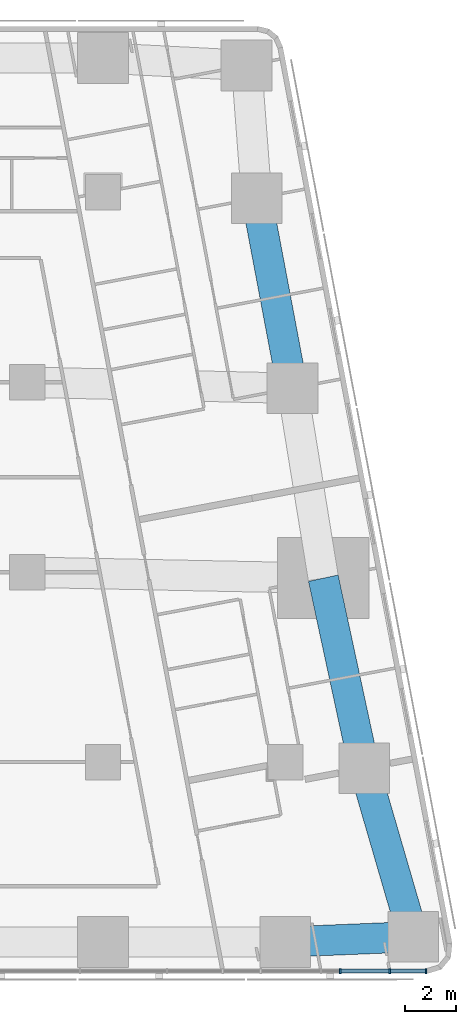
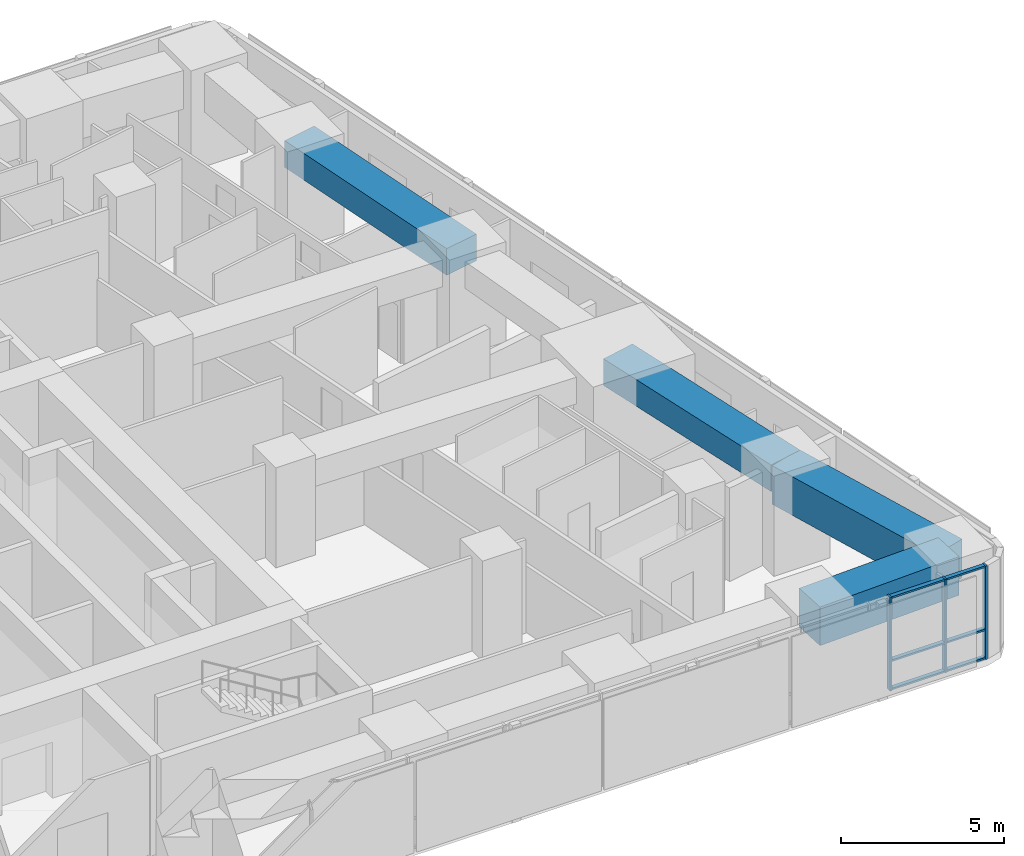
# One storey, part 3 of 11: 9 members, 4 beams, 1 element without a shape of its own.
"""IFC4 building model written with IfcOpenShell, lengths in metres."""

import ifcopenshell
import ifcopenshell.guid

model = None  # the IFC model being written
_history = None  # IfcOwnerHistory: only IFC2X3 demands one
_inside = {}  # id of a spatial element -> (the spatial element, [elements in it])
_under = {}  # id of a project, library or spatial element -> (it, [spatial elements below it])
_declared = {}  # id of a project -> (the project, [libraries it declares])
_typed = {}  # id of a type object -> (the type object, [elements of that type])
_made_of = {}  # id of a material, layer set ... -> (it, [elements and type objects made of it])


def new_model(schema):
    """Start an empty IFC model of exactly this schema.

    Asked for "IFC4X3", IfcOpenShell would pick the latest addendum, in which some entities
    have other attributes; the version numbers below select the first issue.
    IFC2X3 requires an IfcOwnerHistory on every rooted entity: one is made here for all.
    """
    global model, _history
    if schema == "IFC4X3":
        model = ifcopenshell.file(schema_version=(4, 3, 0, 0))
    else:
        model = ifcopenshell.file(schema=schema)
    _inside.clear()
    _under.clear()
    _declared.clear()
    _typed.clear()
    _made_of.clear()
    _history = None
    if model.schema == "IFC2X3":
        org = make("IfcOrganization", Name="unknown")
        user = make(
            "IfcPersonAndOrganization",
            ThePerson=make("IfcPerson", FamilyName="unknown"),
            TheOrganization=org,
        )
        app = make(
            "IfcApplication",
            ApplicationDeveloper=org,
            Version="unknown",
            ApplicationFullName="unknown",
            ApplicationIdentifier="unknown",
        )
        _history = make(
            "IfcOwnerHistory",
            OwningUser=user,
            OwningApplication=app,
            ChangeAction="ADDED",
            CreationDate=0,
        )
    return model


def make(cls, **values):
    """One entity of the class cls with the attributes given. An attribute that is None is left unset."""
    return model.create_entity(
        cls, **{name: value for name, value in values.items() if value is not None}
    )


def rooted(cls, **values):
    """An entity with a GlobalId (a new one), such as an element, a storey or a relation."""
    return make(cls, GlobalId=ifcopenshell.guid.new(), OwnerHistory=_history, **values)


def si_unit(unit_type, name, prefix=None):
    """IfcSIUnit, for example si_unit("LENGTHUNIT", "METRE", prefix="MILLI")."""
    return make("IfcSIUnit", UnitType=unit_type, Prefix=prefix, Name=name)


def assignment(units):
    """IfcUnitAssignment: the units of a project."""
    return None if units is None else make("IfcUnitAssignment", Units=units)


def point(xyz):
    """IfcCartesianPoint."""
    return None if xyz is None else make("IfcCartesianPoint", Coordinates=xyz)


def direction(xyz):
    """IfcDirection."""
    return None if xyz is None else make("IfcDirection", DirectionRatios=xyz)


def frame(location, z_axis=None, x_axis=None):
    """IfcAxis2Placement3D, a coordinate frame: its origin and axes. An axis left out is left unset."""
    return make(
        "IfcAxis2Placement3D",
        Location=point(location),
        Axis=direction(z_axis),
        RefDirection=direction(x_axis),
    )


def frame_2d(location, x_axis=None):
    """IfcAxis2Placement2D, a coordinate frame in the plane: its origin and x axis."""
    return make(
        "IfcAxis2Placement2D", Location=point(location), RefDirection=direction(x_axis)
    )


def origin():
    """The frame at (0, 0, 0) with its axes left unset."""
    return frame((0.0, 0.0, 0.0))


def origin_2d():
    """The frame at (0, 0) in the plane with its x axis left unset."""
    return frame_2d((0.0, 0.0))


def place(relative_to, where):
    """IfcLocalPlacement: puts the frame where relative to a parent placement (None: the world)."""
    return make(
        "IfcLocalPlacement", PlacementRelTo=relative_to, RelativePlacement=where
    )


def context(
    kind, dimensions, precision=None, world=None, true_north=None, identifier=None
):
    """IfcGeometricRepresentationContext, for example the 3D "Model" context."""
    return make(
        "IfcGeometricRepresentationContext",
        ContextIdentifier=identifier,
        ContextType=kind,
        CoordinateSpaceDimension=dimensions,
        Precision=precision,
        WorldCoordinateSystem=world,
        TrueNorth=true_north,
    )


def subcontext(parent, identifier, kind, view, scale=None):
    """IfcGeometricRepresentationSubContext, for example "Body" below "Model"."""
    return make(
        "IfcGeometricRepresentationSubContext",
        ContextIdentifier=identifier,
        ContextType=kind,
        ParentContext=parent,
        TargetScale=scale,
        TargetView=view,
    )


def project(units=None, contexts=None):
    """IfcProject with its units and contexts."""
    return rooted(
        "IfcProject",
        Name="project",
        RepresentationContexts=contexts,
        UnitsInContext=assignment(units),
    )


def spatial(cls, under=None, at=None, **own):
    """A site, building, storey or space (cls), placed at a placement, below another one or the project."""
    s = rooted(cls, ObjectPlacement=at, **own)
    if under is not None:
        _under.setdefault(under.id(), (under, []))[1].append(s)
    return s


def profile(cls, at=None, kind="AREA", **sizes):
    """A parametric profile (cls). Its sizes go by their IFC names, for example OverallWidth=200.0."""
    return make(cls, ProfileType=kind, Position=at, **sizes)


def rectangle(**sizes):
    """IfcRectangleProfileDef."""
    return profile("IfcRectangleProfileDef", **sizes)


def extrude(swept, where, along, depth):
    """IfcExtrudedAreaSolid: the profile swept, set in the frame where, extruded along a direction by depth."""
    return make(
        "IfcExtrudedAreaSolid",
        SweptArea=swept,
        Position=where,
        ExtrudedDirection=direction(along),
        Depth=depth,
    )


def shape(context_of_items, identifier, shape_type, items):
    """IfcShapeRepresentation: the items that make up one representation, for example the "Body"."""
    return make(
        "IfcShapeRepresentation",
        ContextOfItems=context_of_items,
        RepresentationIdentifier=identifier,
        RepresentationType=shape_type,
        Items=items,
    )


def material(Name=None, Category=None):
    """IfcMaterial."""
    return make("IfcMaterial", Name=Name, Category=Category)


def material_profile(
    of_material, cross_section, Name=None, Category=None, Priority=None
):
    """IfcMaterialProfile: a cross section and its material."""
    return make(
        "IfcMaterialProfile",
        Name=Name,
        Material=of_material,
        Profile=cross_section,
        Priority=Priority,
        Category=Category,
    )


def profile_set(profiles, Name=None, composite=None):
    """IfcMaterialProfileSet."""
    return make(
        "IfcMaterialProfileSet",
        Name=Name,
        MaterialProfiles=profiles,
        CompositeProfile=composite,
    )


def made_of(thing, what):
    """Note that an element or type object is made of a material, layer set ...; save() writes the relation."""
    if what is not None:
        _made_of.setdefault(what.id(), (what, []))[1].append(thing)
    return thing


def type_object(cls, material=None, **own):
    """A type object (cls), such as IfcWallType, which elements share."""
    return made_of(rooted(cls, **own), material)


def element(
    cls,
    number,
    at=None,
    inside=None,
    cuts=None,
    type_object=None,
    material=None,
    context=None,
    identifier="Body",
    shape_type=None,
    held_by="IfcProductDefinitionShape",
    body=None,
    shapes=None,
    **own,
):
    """One element of the class cls, such as IfcWall. Its Tag is "e" and its number.

    at: its placement. inside: the storey or other place that contains it. cuts: it is an
    opening in that element (IfcRelVoidsElement). A single representation is given by context,
    identifier, shape_type and body (its items); several are given by shapes. held_by: the class
    of the entity that holds the representations. save() writes the other relations.
    """
    e = rooted(cls, Tag="e%d" % number, ObjectPlacement=at, **own)
    if body is not None:
        shapes = [shape(context, identifier, shape_type, body)]
    if shapes is not None:
        e.Representation = make(held_by, Representations=shapes)
    if inside is not None:
        _inside.setdefault(inside.id(), (inside, []))[1].append(e)
    if cuts is not None:
        rooted(
            "IfcRelVoidsElement", RelatingBuildingElement=cuts, RelatedOpeningElement=e
        )
    if type_object is not None:
        _typed.setdefault(type_object.id(), (type_object, []))[1].append(e)
    return made_of(e, material)


def aggregate(whole, parts):
    """IfcRelAggregates: a whole, such as a stair, and the parts it consists of."""
    return rooted("IfcRelAggregates", RelatingObject=whole, RelatedObjects=parts)


def save(model, path):
    """Write the relations noted so far, then the file.

    IfcRelAggregates (storeys below a building ...), IfcRelContainedInSpatialStructure (elements
    in a storey), IfcRelDefinesByType, IfcRelAssociatesMaterial and IfcRelDeclares: one each for
    every whole, place, type object, material and project.
    """
    for whole, parts in _under.values():
        aggregate(whole, parts)
    for where, things in _inside.values():
        rooted(
            "IfcRelContainedInSpatialStructure",
            RelatedElements=things,
            RelatingStructure=where,
        )
    for kind, things in _typed.values():
        rooted("IfcRelDefinesByType", RelatedObjects=things, RelatingType=kind)
    for what, things in _made_of.values():
        rooted("IfcRelAssociatesMaterial", RelatedObjects=things, RelatingMaterial=what)
    for by, libraries in _declared.values():
        rooted("IfcRelDeclares", RelatingContext=by, RelatedDefinitions=libraries)
    model.write(path)


model = new_model("IFC4")

# Units and contexts
model_context = context("Model", 3, precision=1e-05, world=origin(), true_north=direction((0.0, 1.0)))
body_context = subcontext(model_context, "Body", "Model", "MODEL_VIEW")
ifc_project = project(units=[si_unit("LENGTHUNIT", "METRE"), si_unit("AREAUNIT", "SQUARE_METRE"), si_unit("VOLUMEUNIT", "CUBIC_METRE"), si_unit("PLANEANGLEUNIT", "RADIAN"), si_unit("MASSUNIT", "GRAM", prefix="KILO")], contexts=[model_context])

# Site, building, storey
site_placement = place(None, origin())
site = spatial("IfcSite", under=ifc_project, at=site_placement, CompositionType="ELEMENT")
building_placement = place(site_placement, origin())
building = spatial("IfcBuilding", under=site, at=building_placement, Name="Sheger Commons Tower", CompositionType="ELEMENT")
storey_placement = place(building_placement, frame((0.0, 0.0, 270.35009765625)))
storey = spatial("IfcBuildingStorey", under=building, at=storey_placement, Name="L69", CompositionType="ELEMENT", Elevation=270.35009765625)

# Curtain wall, members
ifc_material_1 = material(Name="Black aluminium curtain wall, dark tinted glazing", Category="aluminium")
curtain_wall_type = type_object("IfcCurtainWallType", Name="CURTAIN WALL CW5 SOUTH GALLERY", PredefinedType="USERDEFINED", material=ifc_material_1)
curtain_wall_placement = place(storey_placement, origin())
curtain_wall = element("IfcCurtainWall", 1, at=curtain_wall_placement, inside=storey, type_object=curtain_wall_type, Name="Curtain Wall Cw5 South Gallery S1 L69", ObjectType="UNITISED CURTAIN WALL", PredefinedType="USERDEFINED")
ifc_material_2 = material(Name="Black anodised aluminium", Category="aluminium")
ifc_material_profile_1 = material_profile(ifc_material_2, rectangle(XDim=0.199951171875, YDim=0.06494140625, at=origin_2d()), Name="AL 65x200")
ifc_profile_set_1 = profile_set([ifc_material_profile_1], Name="Black anodised aluminium")
member_type_1 = type_object("IfcMemberType", Name="MULLION AL 65x200", PredefinedType="MULLION", material=ifc_profile_set_1)
member_1_placement = place(storey_placement, frame((45.364990234375, 6.75, 0.0), z_axis=(0.0, 0.0, 1.0), x_axis=(0.0, 1.0, 0.0)))
member_1 = element("IfcMember", 2, at=member_1_placement, type_object=member_type_1, Name="CW5 mullion 12", PredefinedType="MULLION", context=body_context, shape_type="SweptSolid", body=[
    extrude(rectangle(XDim=0.199951171875, YDim=0.06494140625, at=origin_2d()), origin(), (0.0, 0.0, 1.0), 3.5),
])
member_2_placement = place(storey_placement, frame((47.319091796875, 6.75, 0.0), z_axis=(0.0, 0.0, 1.0), x_axis=(0.0, 1.0, 0.0)))
member_2 = element("IfcMember", 3, at=member_2_placement, type_object=member_type_1, Name="CW5 mullion 13", PredefinedType="MULLION", context=body_context, shape_type="SweptSolid", body=[
    extrude(rectangle(XDim=0.199951171875, YDim=0.06494140625, at=origin_2d()), origin(), (0.0, 0.0, 1.0), 3.5),
])
member_3_placement = place(storey_placement, frame((48.75439453125, 6.75, 0.0), z_axis=(0.0, 0.0, 1.0), x_axis=(0.0, 1.0, 0.0)))
member_3 = element("IfcMember", 4, at=member_3_placement, type_object=member_type_1, Name="CW5 mullion 14", PredefinedType="MULLION", context=body_context, shape_type="SweptSolid", body=[
    extrude(rectangle(XDim=0.199951171875, YDim=0.06494140625, at=origin_2d()), origin(), (0.0, 0.0, 1.0), 3.5),
])

# Beams
ifc_material_3 = material(Name="Concrete C50/60", Category="concrete")
ifc_material_profile_2 = material_profile(ifc_material_3, rectangle(XDim=1.199951171875, YDim=1.0, at=origin_2d()), Name="RC 1200x1000")
ifc_profile_set_2 = profile_set([ifc_material_profile_2], Name="Concrete C50/60")
beam_type_1 = type_object("IfcBeamType", Name="SPANDREL RC 1200x1000", PredefinedType="SPANDREL", material=ifc_profile_set_2)
beam_1_placement = place(storey_placement, frame((46.31396484375, 14.762939453125, 3.0), z_axis=(-0.210750229323, 0.977539943348, 0.0), x_axis=(-0.977539943348, -0.210750229323, 0.0)))
element("IfcBeam", 5, at=beam_1_placement, inside=storey, type_object=beam_type_1, Name="Beam E/C-E/D under L70", PredefinedType="SPANDREL", context=body_context, shape_type="SweptSolid", body=[
    extrude(rectangle(XDim=1.199951171875, YDim=1.0, at=origin_2d()), origin(), (0.0, 0.0, 1.0), 7.67236328125),
])
beam_2_placement = place(storey_placement, frame((43.47998046875, 29.762939453125, 3.0), z_axis=(-0.18552441405, 0.982639655108, 0.0), x_axis=(-0.982639655108, -0.18552441405, 0.0)))
element("IfcBeam", 6, at=beam_2_placement, inside=storey, type_object=beam_type_1, Name="Beam E/E-E/F under L70", PredefinedType="SPANDREL", context=body_context, shape_type="SweptSolid", body=[
    extrude(rectangle(XDim=1.199951171875, YDim=1.0, at=origin_2d()), origin(), (0.0, 0.0, 1.0), 7.632568359375),
])
ifc_material_4 = material(Name="Concrete C50/60", Category="concrete")
ifc_material_profile_3 = material_profile(ifc_material_4, rectangle(XDim=1.199951171875, YDim=1.449951171875, at=origin_2d()), Name="RC 1200x1450")
ifc_profile_set_3 = profile_set([ifc_material_profile_3], Name="Concrete C50/60")
beam_type_2 = type_object("IfcBeamType", Name="SPANDREL RC 1200x1450", PredefinedType="SPANDREL", material=ifc_profile_set_3)
beam_3_placement = place(storey_placement, frame((43.199951171875, 7.89990234375, 2.77490234375), z_axis=(0.999161374218, 0.040945674641, 0.0), x_axis=(-0.040945674641, 0.999161374218, 0.0)))
element("IfcBeam", 7, at=beam_3_placement, inside=storey, type_object=beam_type_2, Name="Beam 7/B-E/B under L70", PredefinedType="SPANDREL", context=body_context, shape_type="SweptSolid", body=[
    extrude(rectangle(XDim=1.199951171875, YDim=1.449951171875, at=origin_2d()), origin(), (0.0, 0.0, 1.0), 5.05615234375),
])
beam_4_placement = place(storey_placement, frame((48.251953125, 8.10693359375, 2.77490234375), z_axis=(-0.279555048455, 0.960129665662, 0.0), x_axis=(-0.960129665662, -0.279555048455, 0.0)))
element("IfcBeam", 8, at=beam_4_placement, inside=storey, type_object=beam_type_2, Name="Beam E/B-E/C under L70", PredefinedType="SPANDREL", context=body_context, shape_type="SweptSolid", body=[
    extrude(rectangle(XDim=1.199951171875, YDim=1.449951171875, at=origin_2d()), origin(), (0.0, 0.0, 1.0), 6.932373046875),
])

# Member
ifc_material_5 = material(Name="Black anodised aluminium", Category="aluminium")
ifc_material_profile_4 = material_profile(ifc_material_5, rectangle(XDim=0.14990234375, YDim=0.06494140625, at=origin_2d()), Name="AL 65x150")
ifc_profile_set_4 = profile_set([ifc_material_profile_4], Name="Black anodised aluminium")
member_type_2 = type_object("IfcMemberType", Name="TRANSOM AL 65x150", PredefinedType="USERDEFINED", material=ifc_profile_set_4)
member_4_placement = place(storey_placement, frame((45.3974609375, 6.75, 0.032470703125), z_axis=(1.0, 0.0, 0.0), x_axis=(0.0, 1.0, 0.0)))
member_4 = element("IfcMember", 9, at=member_4_placement, type_object=member_type_2, Name="CW5 transom 12.1", ObjectType="TRANSOM", PredefinedType="USERDEFINED", context=body_context, shape_type="SweptSolid", body=[
    extrude(rectangle(XDim=0.14990234375, YDim=0.06494140625, at=origin_2d()), origin(), (0.0, 0.0, 1.0), 1.88916015625),
])

member_5_placement = place(storey_placement, frame((45.3974609375, 6.75, 1.099853515625), z_axis=(1.0, 0.0, 0.0), x_axis=(0.0, 1.0, 0.0)))
member_5 = element("IfcMember", 10, at=member_5_placement, type_object=member_type_2, Name="CW5 transom 12.2", ObjectType="TRANSOM", PredefinedType="USERDEFINED", context=body_context, shape_type="SweptSolid", body=[
    extrude(rectangle(XDim=0.14990234375, YDim=0.06494140625, at=origin_2d()), origin(), (0.0, 0.0, 1.0), 1.88916015625),
])

member_6_placement = place(storey_placement, frame((45.3974609375, 6.75, 3.46728515625), z_axis=(1.0, 0.0, 0.0), x_axis=(0.0, 1.0, 0.0)))
member_6 = element("IfcMember", 11, at=member_6_placement, type_object=member_type_2, Name="CW5 transom 12.3", ObjectType="TRANSOM", PredefinedType="USERDEFINED", context=body_context, shape_type="SweptSolid", body=[
    extrude(rectangle(XDim=0.14990234375, YDim=0.06494140625, at=origin_2d()), origin(), (0.0, 0.0, 1.0), 1.88916015625),
])

member_7_placement = place(storey_placement, frame((47.3515625, 6.75, 0.032470703125), z_axis=(1.0, 0.0, 0.0), x_axis=(0.0, 1.0, 0.0)))
member_7 = element("IfcMember", 12, at=member_7_placement, type_object=member_type_2, Name="CW5 transom 13.1", ObjectType="TRANSOM", PredefinedType="USERDEFINED", context=body_context, shape_type="SweptSolid", body=[
    extrude(rectangle(XDim=0.14990234375, YDim=0.06494140625, at=origin_2d()), origin(), (0.0, 0.0, 1.0), 1.370361328125),
])

member_8_placement = place(storey_placement, frame((47.3515625, 6.75, 1.099853515625), z_axis=(1.0, 0.0, 0.0), x_axis=(0.0, 1.0, 0.0)))
member_8 = element("IfcMember", 13, at=member_8_placement, type_object=member_type_2, Name="CW5 transom 13.2", ObjectType="TRANSOM", PredefinedType="USERDEFINED", context=body_context, shape_type="SweptSolid", body=[
    extrude(rectangle(XDim=0.14990234375, YDim=0.06494140625, at=origin_2d()), origin(), (0.0, 0.0, 1.0), 1.370361328125),
])

member_9_placement = place(storey_placement, frame((47.3515625, 6.75, 3.46728515625), z_axis=(1.0, 0.0, 0.0), x_axis=(0.0, 1.0, 0.0)))
member_9 = element("IfcMember", 14, at=member_9_placement, type_object=member_type_2, Name="CW5 transom 13.3", ObjectType="TRANSOM", PredefinedType="USERDEFINED", context=body_context, shape_type="SweptSolid", body=[
    extrude(rectangle(XDim=0.14990234375, YDim=0.06494140625, at=origin_2d()), origin(), (0.0, 0.0, 1.0), 1.370361328125),
])

aggregate(curtain_wall, [member_1, member_2, member_3, member_4, member_5, member_6, member_7, member_8, member_9])

save(model, "model.ifc")
